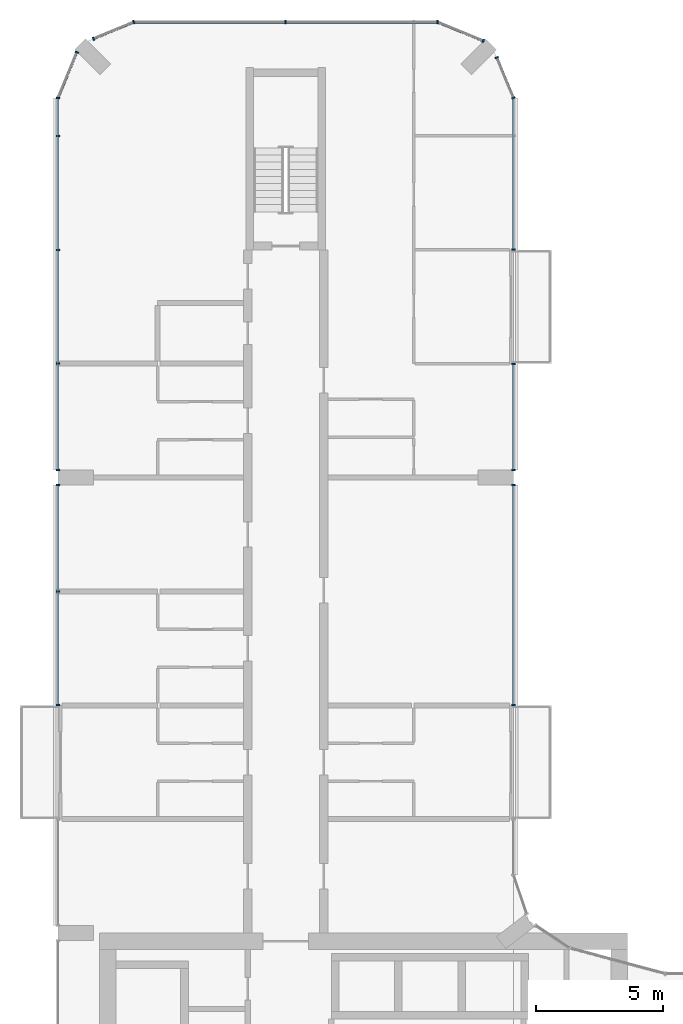
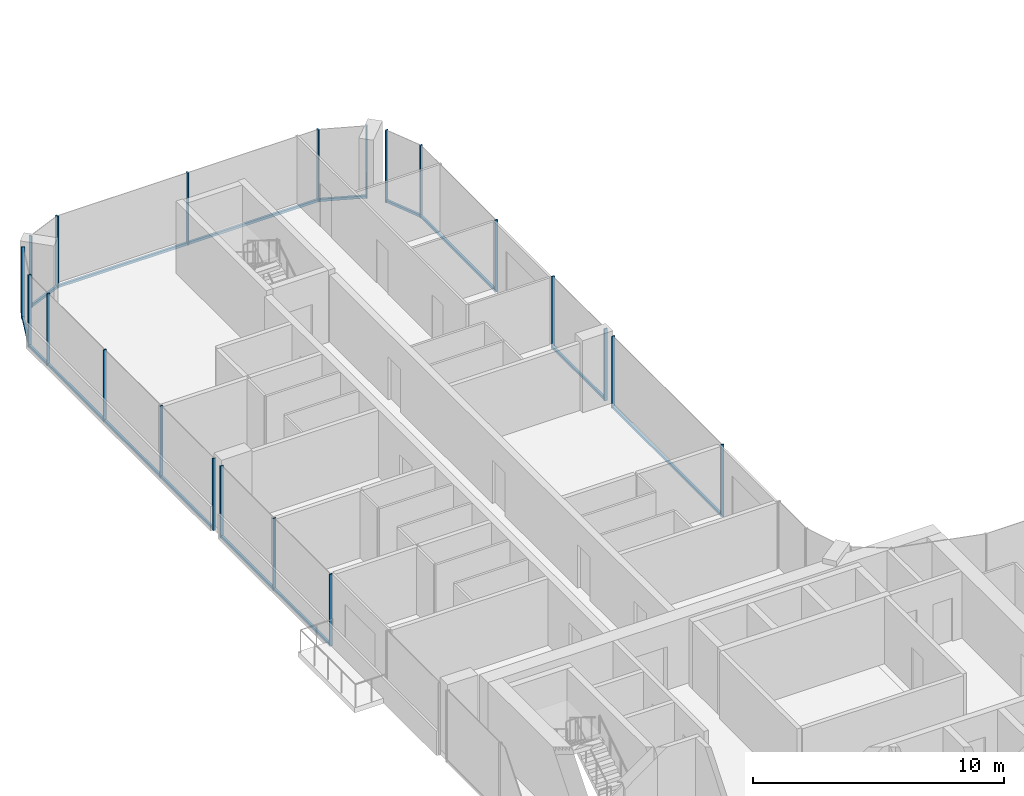
# One storey, part 6 of 22: 31 members, 10 elements without a shape of their own.
"""IFC4 building model written with IfcOpenShell, lengths in metres."""

from ifc_helpers import new_model, si_unit, direction, frame, origin, origin_2d, place, context, subcontext, project, spatial, rectangle, extrude, material, layer, layer_set, material_profile, profile_set, type_object, element, aggregate, save


model = new_model("IFC4")

# Units and contexts
model_context = context("Model", 3, precision=1e-05, world=origin(), true_north=direction((0.0, 1.0)))
body_context = subcontext(model_context, "Body", "Model", "MODEL_VIEW")
ifc_project = project(units=[si_unit("LENGTHUNIT", "METRE"), si_unit("AREAUNIT", "SQUARE_METRE"), si_unit("VOLUMEUNIT", "CUBIC_METRE"), si_unit("PLANEANGLEUNIT", "RADIAN"), si_unit("MASSUNIT", "GRAM", prefix="KILO")], contexts=[model_context])

# Site, building, storey
site_placement = place(None, origin())
site = spatial("IfcSite", under=ifc_project, at=site_placement, CompositionType="ELEMENT")
building_placement = place(site_placement, origin())
building = spatial("IfcBuilding", under=site, at=building_placement, Name="Plateau Cross Towers", CompositionType="ELEMENT")
storey_placement = place(building_placement, frame((0.0, 0.0, 106.300048828125)))
storey = spatial("IfcBuildingStorey", under=building, at=storey_placement, Name="L27", CompositionType="ELEMENT", Elevation=106.300048828125)

# Curtain wall, members
ifc_material_1 = material(Name="Dark low-iron glass", Category="glass")
ifc_layer = layer(ifc_material_1, 0.239990234375)
ifc_layer_set = layer_set([ifc_layer], Name="Dark low-iron glass")
curtain_wall_type = type_object("IfcCurtainWallType", Name="Curtain wall flush unitised CW-B", PredefinedType="NOTDEFINED", material=ifc_layer_set)
curtain_wall_1_placement = place(storey_placement, origin())
curtain_wall_1 = element("IfcCurtainWall", 1, at=curtain_wall_1_placement, inside=storey, type_object=curtain_wall_type, Name="ENV/A/L27/A180_270", PredefinedType="NOTDEFINED")
ifc_material_2 = material(Name="Black anodised aluminium", Category="aluminium")
ifc_material_profile_1 = material_profile(ifc_material_2, rectangle(XDim=0.06005859375, YDim=0.139892578125, at=origin_2d()), Name="MULLION 60x140")
ifc_profile_set_1 = profile_set([ifc_material_profile_1], Name="Black anodised aluminium")
member_type_1 = type_object("IfcMemberType", Name="Mullion 60x140 flush unitised", PredefinedType="MULLION", material=ifc_profile_set_1)
member_1_placement = place(storey_placement, frame((18.0, 27.010009765625, -0.25), z_axis=(0.0, 0.0, 1.0), x_axis=(0.0, 1.0, 0.0)))
member_1 = element("IfcMember", 2, at=member_1_placement, type_object=member_type_1, Name="CW-B mullion 1", PredefinedType="MULLION", context=body_context, shape_type="SweptSolid", body=[
    extrude(rectangle(XDim=0.06005859375, YDim=0.139892578125, at=origin_2d()), origin(), (0.0, 0.0, 1.0), 3.5),
])
member_2_placement = place(storey_placement, frame((18.0, 35.699951171875, -0.25), z_axis=(0.0, 0.0, 1.0), x_axis=(0.0, 1.0, 0.0)))
member_2 = element("IfcMember", 3, at=member_2_placement, type_object=member_type_1, Name="CW-B mullion 2", PredefinedType="MULLION", context=body_context, shape_type="SweptSolid", body=[
    extrude(rectangle(XDim=0.06005859375, YDim=0.139892578125, at=origin_2d()), origin(), (0.0, 0.0, 1.0), 3.5),
])

curtain_wall_2_placement = place(storey_placement, origin())
curtain_wall_2 = element("IfcCurtainWall", 4, at=curtain_wall_2_placement, inside=storey, type_object=curtain_wall_type, Name="ENV/A/L27/A180_363", PredefinedType="NOTDEFINED")
member_3_placement = place(storey_placement, frame((18.0, 36.300048828125, -0.25), z_axis=(0.0, 0.0, 1.0), x_axis=(0.0, 1.0, 0.0)))
member_3 = element("IfcMember", 5, at=member_3_placement, type_object=member_type_1, Name="CW-B mullion 1", PredefinedType="MULLION", context=body_context, shape_type="SweptSolid", body=[
    extrude(rectangle(XDim=0.06005859375, YDim=0.139892578125, at=origin_2d()), origin(), (0.0, 0.0, 1.0), 3.5),
])
member_4_placement = place(storey_placement, frame((18.0, 40.489990234375, -0.25), z_axis=(0.0, 0.0, 1.0), x_axis=(0.0, 1.0, 0.0)))
member_4 = element("IfcMember", 6, at=member_4_placement, type_object=member_type_1, Name="CW-B mullion 2", PredefinedType="MULLION", context=body_context, shape_type="SweptSolid", body=[
    extrude(rectangle(XDim=0.06005859375, YDim=0.139892578125, at=origin_2d()), origin(), (0.0, 0.0, 1.0), 3.5),
])

# Curtain wall, member
curtain_wall_3_placement = place(storey_placement, origin())
curtain_wall_3 = element("IfcCurtainWall", 7, at=curtain_wall_3_placement, inside=storey, type_object=curtain_wall_type, Name="ENV/A/L27/A180_450", PredefinedType="NOTDEFINED")
member_5_placement = place(storey_placement, frame((18.0, 45.010009765625, -0.25), z_axis=(0.0, 0.0, 1.0), x_axis=(0.0, 1.0, 0.0)))
member_5 = element("IfcMember", 8, at=member_5_placement, type_object=member_type_1, Name="CW-B mullion 1", PredefinedType="MULLION", context=body_context, shape_type="SweptSolid", body=[
    extrude(rectangle(XDim=0.06005859375, YDim=0.139892578125, at=origin_2d()), origin(), (0.0, 0.0, 1.0), 3.5),
])

# Curtain wall, members
curtain_wall_4_placement = place(storey_placement, origin())
curtain_wall_4 = element("IfcCurtainWall", 9, at=curtain_wall_4_placement, inside=storey, type_object=curtain_wall_type, Name="ENV/A/L27/A180_510", PredefinedType="NOTDEFINED")
member_6_placement = place(storey_placement, frame((18.0, 51.0, -0.25), z_axis=(0.0, 0.0, 1.0), x_axis=(-0.382683612978, 0.923879457699, 0.0)))
member_6 = element("IfcMember", 10, at=member_6_placement, type_object=member_type_1, Name="CW-B mullion 1", PredefinedType="MULLION", context=body_context, shape_type="SweptSolid", body=[
    extrude(rectangle(XDim=0.06005859375, YDim=0.139892578125, at=origin_2d()), origin(), (0.0, 0.0, 1.0), 3.5),
])
member_7_placement = place(storey_placement, frame((17.338623046875, 52.5966796875, -0.25), z_axis=(0.0, 0.0, 1.0), x_axis=(-0.382683612978, 0.923879457699, 0.0)))
member_7 = element("IfcMember", 11, at=member_7_placement, type_object=member_type_1, Name="CW-B mullion 2", PredefinedType="MULLION", context=body_context, shape_type="SweptSolid", body=[
    extrude(rectangle(XDim=0.06005859375, YDim=0.139892578125, at=origin_2d()), origin(), (0.0, 0.0, 1.0), 3.5),
])

# Curtain wall, member
curtain_wall_5_placement = place(storey_placement, origin())
curtain_wall_5 = element("IfcCurtainWall", 12, at=curtain_wall_5_placement, inside=storey, type_object=curtain_wall_type, Name="ENV/A/L27/A168_533", PredefinedType="NOTDEFINED")
member_8_placement = place(storey_placement, frame((16.805908203125, 53.251953125, -0.25), z_axis=(0.0, 0.0, 1.0), x_axis=(-0.923879457699, 0.382683612978, 0.0)))
member_8 = element("IfcMember", 13, at=member_8_placement, type_object=member_type_1, Name="CW-B mullion 1", PredefinedType="MULLION", context=body_context, shape_type="SweptSolid", body=[
    extrude(rectangle(XDim=0.06005859375, YDim=0.139892578125, at=origin_2d()), origin(), (0.0, 0.0, 1.0), 3.5),
])

# Curtain wall, members
curtain_wall_6_placement = place(storey_placement, origin())
curtain_wall_6 = element("IfcCurtainWall", 14, at=curtain_wall_6_placement, inside=storey, type_object=curtain_wall_type, Name="ENV/A/L27/A150_540", PredefinedType="NOTDEFINED")
member_9_placement = place(storey_placement, frame((15.0, 54.0, -0.25), z_axis=(0.0, 0.0, 1.0), x_axis=(-1.0, 0.0, 0.0)))
member_9 = element("IfcMember", 15, at=member_9_placement, type_object=member_type_1, Name="CW-B mullion 1", PredefinedType="MULLION", context=body_context, shape_type="SweptSolid", body=[
    extrude(rectangle(XDim=0.06005859375, YDim=0.139892578125, at=origin_2d()), origin(), (0.0, 0.0, 1.0), 3.5),
])
member_10_placement = place(storey_placement, frame((9.0, 54.0, -0.25), z_axis=(0.0, 0.0, 1.0), x_axis=(-1.0, 0.0, 0.0)))
member_10 = element("IfcMember", 16, at=member_10_placement, type_object=member_type_1, Name="CW-B mullion 2", PredefinedType="MULLION", context=body_context, shape_type="SweptSolid", body=[
    extrude(rectangle(XDim=0.06005859375, YDim=0.139892578125, at=origin_2d()), origin(), (0.0, 0.0, 1.0), 3.5),
])

curtain_wall_7_placement = place(storey_placement, origin())
curtain_wall_7 = element("IfcCurtainWall", 17, at=curtain_wall_7_placement, inside=storey, type_object=curtain_wall_type, Name="ENV/A/L27/A30_540", PredefinedType="NOTDEFINED")
member_11_placement = place(storey_placement, frame((3.0, 54.0, -0.25), z_axis=(0.0, 0.0, 1.0), x_axis=(-0.923879457699, -0.382683612978, 0.0)))
member_11 = element("IfcMember", 18, at=member_11_placement, type_object=member_type_1, Name="CW-B mullion 1", PredefinedType="MULLION", context=body_context, shape_type="SweptSolid", body=[
    extrude(rectangle(XDim=0.06005859375, YDim=0.139892578125, at=origin_2d()), origin(), (0.0, 0.0, 1.0), 3.5),
])
member_12_placement = place(storey_placement, frame((1.4033203125, 53.338623046875, -0.25), z_axis=(0.0, 0.0, 1.0), x_axis=(-0.923879457699, -0.382683612978, 0.0)))
member_12 = element("IfcMember", 19, at=member_12_placement, type_object=member_type_1, Name="CW-B mullion 2", PredefinedType="MULLION", context=body_context, shape_type="SweptSolid", body=[
    extrude(rectangle(XDim=0.06005859375, YDim=0.139892578125, at=origin_2d()), origin(), (0.0, 0.0, 1.0), 3.5),
])

# Curtain wall, member
curtain_wall_8_placement = place(storey_placement, origin())
curtain_wall_8 = element("IfcCurtainWall", 20, at=curtain_wall_8_placement, inside=storey, type_object=curtain_wall_type, Name="ENV/A/L27/A7_528", PredefinedType="NOTDEFINED")
member_13_placement = place(storey_placement, frame((0.748046875, 52.805908203125, -0.25), z_axis=(0.0, 0.0, 1.0), x_axis=(-0.382683612978, -0.923879457699, 0.0)))
member_13 = element("IfcMember", 21, at=member_13_placement, type_object=member_type_1, Name="CW-B mullion 1", PredefinedType="MULLION", context=body_context, shape_type="SweptSolid", body=[
    extrude(rectangle(XDim=0.06005859375, YDim=0.139892578125, at=origin_2d()), origin(), (0.0, 0.0, 1.0), 3.5),
])

# Curtain wall, members
curtain_wall_9_placement = place(storey_placement, origin())
curtain_wall_9 = element("IfcCurtainWall", 22, at=curtain_wall_9_placement, inside=storey, type_object=curtain_wall_type, Name="ENV/A/L27/A0_510", PredefinedType="NOTDEFINED")
member_14_placement = place(storey_placement, frame((0.0, 51.0, -0.25), z_axis=(0.0, 0.0, 1.0), x_axis=(0.0, -1.0, 0.0)))
member_14 = element("IfcMember", 23, at=member_14_placement, type_object=member_type_1, Name="CW-B mullion 1", PredefinedType="MULLION", context=body_context, shape_type="SweptSolid", body=[
    extrude(rectangle(XDim=0.06005859375, YDim=0.139892578125, at=origin_2d()), origin(), (0.0, 0.0, 1.0), 3.5),
])
member_15_placement = place(storey_placement, frame((0.0, 49.5, -0.25), z_axis=(0.0, 0.0, 1.0), x_axis=(0.0, -1.0, 0.0)))
member_15 = element("IfcMember", 24, at=member_15_placement, type_object=member_type_1, Name="CW-B mullion 2", PredefinedType="MULLION", context=body_context, shape_type="SweptSolid", body=[
    extrude(rectangle(XDim=0.06005859375, YDim=0.139892578125, at=origin_2d()), origin(), (0.0, 0.0, 1.0), 3.5),
])
member_16_placement = place(storey_placement, frame((0.0, 45.0, -0.25), z_axis=(0.0, 0.0, 1.0), x_axis=(0.0, -1.0, 0.0)))
member_16 = element("IfcMember", 25, at=member_16_placement, type_object=member_type_1, Name="CW-B mullion 3", PredefinedType="MULLION", context=body_context, shape_type="SweptSolid", body=[
    extrude(rectangle(XDim=0.06005859375, YDim=0.139892578125, at=origin_2d()), origin(), (0.0, 0.0, 1.0), 3.5),
])
member_17_placement = place(storey_placement, frame((0.0, 40.5, -0.25), z_axis=(0.0, 0.0, 1.0), x_axis=(0.0, -1.0, 0.0)))
member_17 = element("IfcMember", 26, at=member_17_placement, type_object=member_type_1, Name="CW-B mullion 4", PredefinedType="MULLION", context=body_context, shape_type="SweptSolid", body=[
    extrude(rectangle(XDim=0.06005859375, YDim=0.139892578125, at=origin_2d()), origin(), (0.0, 0.0, 1.0), 3.5),
])
member_18_placement = place(storey_placement, frame((0.0, 36.300048828125, -0.25), z_axis=(0.0, 0.0, 1.0), x_axis=(0.0, -1.0, 0.0)))
member_18 = element("IfcMember", 27, at=member_18_placement, type_object=member_type_1, Name="CW-B mullion 5", PredefinedType="MULLION", context=body_context, shape_type="SweptSolid", body=[
    extrude(rectangle(XDim=0.06005859375, YDim=0.139892578125, at=origin_2d()), origin(), (0.0, 0.0, 1.0), 3.5),
])

curtain_wall_10_placement = place(storey_placement, origin())
curtain_wall_10 = element("IfcCurtainWall", 28, at=curtain_wall_10_placement, inside=storey, type_object=curtain_wall_type, Name="ENV/A/L27/A0_357", PredefinedType="NOTDEFINED")
member_19_placement = place(storey_placement, frame((0.0, 35.699951171875, -0.25), z_axis=(0.0, 0.0, 1.0), x_axis=(0.0, -1.0, 0.0)))
member_19 = element("IfcMember", 29, at=member_19_placement, type_object=member_type_1, Name="CW-B mullion 1", PredefinedType="MULLION", context=body_context, shape_type="SweptSolid", body=[
    extrude(rectangle(XDim=0.06005859375, YDim=0.139892578125, at=origin_2d()), origin(), (0.0, 0.0, 1.0), 3.5),
])
member_20_placement = place(storey_placement, frame((0.0, 31.5, -0.25), z_axis=(0.0, 0.0, 1.0), x_axis=(0.0, -1.0, 0.0)))
member_20 = element("IfcMember", 30, at=member_20_placement, type_object=member_type_1, Name="CW-B mullion 2", PredefinedType="MULLION", context=body_context, shape_type="SweptSolid", body=[
    extrude(rectangle(XDim=0.06005859375, YDim=0.139892578125, at=origin_2d()), origin(), (0.0, 0.0, 1.0), 3.5),
])
member_21_placement = place(storey_placement, frame((0.0, 27.010009765625, -0.25), z_axis=(0.0, 0.0, 1.0), x_axis=(0.0, -1.0, 0.0)))
member_21 = element("IfcMember", 31, at=member_21_placement, type_object=member_type_1, Name="CW-B mullion 3", PredefinedType="MULLION", context=body_context, shape_type="SweptSolid", body=[
    extrude(rectangle(XDim=0.06005859375, YDim=0.139892578125, at=origin_2d()), origin(), (0.0, 0.0, 1.0), 3.5),
])

# Member
ifc_material_profile_2 = material_profile(ifc_material_2, rectangle(XDim=0.10009765625, YDim=0.1201171875, at=origin_2d()), Name="TRANSOM 100x120")
ifc_profile_set_2 = profile_set([ifc_material_profile_2], Name="Black anodised aluminium")
member_type_2 = type_object("IfcMemberType", Name="Transom 100x120 flush unitised", PredefinedType="USERDEFINED", material=ifc_profile_set_2)
member_22_placement = place(storey_placement, frame((18.0, 27.010009765625, -0.18994140625), z_axis=(0.0, 1.0, 0.0), x_axis=(-1.0, 0.0, 0.0)))
member_22 = element("IfcMember", 32, at=member_22_placement, type_object=member_type_2, Name="CW-B transom", ObjectType="TRANSOM", PredefinedType="USERDEFINED", context=body_context, shape_type="SweptSolid", body=[
    extrude(rectangle(XDim=0.10009765625, YDim=0.1201171875, at=origin_2d()), origin(), (0.0, 0.0, 1.0), 8.68994140625),
])

aggregate(curtain_wall_1, [member_1, member_2, member_22])

member_23_placement = place(storey_placement, frame((18.0, 36.300048828125, -0.18994140625), z_axis=(0.0, 1.0, 0.0), x_axis=(-1.0, 0.0, 0.0)))
member_23 = element("IfcMember", 33, at=member_23_placement, type_object=member_type_2, Name="CW-B transom", ObjectType="TRANSOM", PredefinedType="USERDEFINED", context=body_context, shape_type="SweptSolid", body=[
    extrude(rectangle(XDim=0.10009765625, YDim=0.1201171875, at=origin_2d()), origin(), (0.0, 0.0, 1.0), 4.18994140625),
])

aggregate(curtain_wall_2, [member_3, member_4, member_23])

member_24_placement = place(storey_placement, frame((18.0, 45.010009765625, -0.18994140625), z_axis=(0.0, 1.0, 0.0), x_axis=(-1.0, 0.0, 0.0)))
member_24 = element("IfcMember", 34, at=member_24_placement, type_object=member_type_2, Name="CW-B transom", ObjectType="TRANSOM", PredefinedType="USERDEFINED", context=body_context, shape_type="SweptSolid", body=[
    extrude(rectangle(XDim=0.10009765625, YDim=0.1201171875, at=origin_2d()), origin(), (0.0, 0.0, 1.0), 5.989990234375),
])

aggregate(curtain_wall_3, [member_5, member_24])

member_25_placement = place(storey_placement, frame((18.0, 51.0, -0.18994140625), z_axis=(-0.382688653628, 0.923877369776, 0.0), x_axis=(-0.923877369776, -0.382688653628, 0.0)))
member_25 = element("IfcMember", 35, at=member_25_placement, type_object=member_type_2, Name="CW-B transom", ObjectType="TRANSOM", PredefinedType="USERDEFINED", context=body_context, shape_type="SweptSolid", body=[
    extrude(rectangle(XDim=0.10009765625, YDim=0.1201171875, at=origin_2d()), origin(), (0.0, 0.0, 1.0), 1.728271484375),
])

aggregate(curtain_wall_4, [member_6, member_7, member_25])

member_26_placement = place(storey_placement, frame((16.805908203125, 53.251953125, -0.18994140625), z_axis=(-0.92387678234, 0.382690071798, 0.0), x_axis=(-0.382690071798, -0.92387678234, 0.0)))
member_26 = element("IfcMember", 36, at=member_26_placement, type_object=member_type_2, Name="CW-B transom", ObjectType="TRANSOM", PredefinedType="USERDEFINED", context=body_context, shape_type="SweptSolid", body=[
    extrude(rectangle(XDim=0.10009765625, YDim=0.1201171875, at=origin_2d()), origin(), (0.0, 0.0, 1.0), 1.95458984375),
])

aggregate(curtain_wall_5, [member_8, member_26])

member_27_placement = place(storey_placement, frame((15.0, 54.0, -0.18994140625), z_axis=(-1.0, 0.0, 0.0), x_axis=(0.0, -1.0, 0.0)))
member_27 = element("IfcMember", 37, at=member_27_placement, type_object=member_type_2, Name="CW-B transom", ObjectType="TRANSOM", PredefinedType="USERDEFINED", context=body_context, shape_type="SweptSolid", body=[
    extrude(rectangle(XDim=0.10009765625, YDim=0.1201171875, at=origin_2d()), origin(), (0.0, 0.0, 1.0), 12.0),
])

aggregate(curtain_wall_6, [member_9, member_10, member_27])

member_28_placement = place(storey_placement, frame((3.0, 54.0, -0.18994140625), z_axis=(-0.923877369776, -0.382688653628, 0.0), x_axis=(0.382688653628, -0.923877369776, 0.0)))
member_28 = element("IfcMember", 38, at=member_28_placement, type_object=member_type_2, Name="CW-B transom", ObjectType="TRANSOM", PredefinedType="USERDEFINED", context=body_context, shape_type="SweptSolid", body=[
    extrude(rectangle(XDim=0.10009765625, YDim=0.1201171875, at=origin_2d()), origin(), (0.0, 0.0, 1.0), 1.728271484375),
])

aggregate(curtain_wall_7, [member_11, member_12, member_28])

member_29_placement = place(storey_placement, frame((0.748046875, 52.805908203125, -0.18994140625), z_axis=(-0.382690071798, -0.92387678234, 0.0), x_axis=(0.92387678234, -0.382690071798, 0.0)))
member_29 = element("IfcMember", 39, at=member_29_placement, type_object=member_type_2, Name="CW-B transom", ObjectType="TRANSOM", PredefinedType="USERDEFINED", context=body_context, shape_type="SweptSolid", body=[
    extrude(rectangle(XDim=0.10009765625, YDim=0.1201171875, at=origin_2d()), origin(), (0.0, 0.0, 1.0), 1.95458984375),
])

aggregate(curtain_wall_8, [member_13, member_29])

member_30_placement = place(storey_placement, frame((0.0, 51.0, -0.18994140625), z_axis=(0.0, -1.0, 0.0), x_axis=(1.0, 0.0, 0.0)))
member_30 = element("IfcMember", 40, at=member_30_placement, type_object=member_type_2, Name="CW-B transom", ObjectType="TRANSOM", PredefinedType="USERDEFINED", context=body_context, shape_type="SweptSolid", body=[
    extrude(rectangle(XDim=0.10009765625, YDim=0.1201171875, at=origin_2d()), origin(), (0.0, 0.0, 1.0), 14.699951171875),
])

aggregate(curtain_wall_9, [member_14, member_15, member_16, member_17, member_18, member_30])

member_31_placement = place(storey_placement, frame((0.0, 35.699951171875, -0.18994140625), z_axis=(0.0, -1.0, 0.0), x_axis=(1.0, 0.0, 0.0)))
member_31 = element("IfcMember", 41, at=member_31_placement, type_object=member_type_2, Name="CW-B transom", ObjectType="TRANSOM", PredefinedType="USERDEFINED", context=body_context, shape_type="SweptSolid", body=[
    extrude(rectangle(XDim=0.10009765625, YDim=0.1201171875, at=origin_2d()), origin(), (0.0, 0.0, 1.0), 8.68994140625),
])

aggregate(curtain_wall_10, [member_19, member_20, member_21, member_31])

save(model, "model.ifc")
